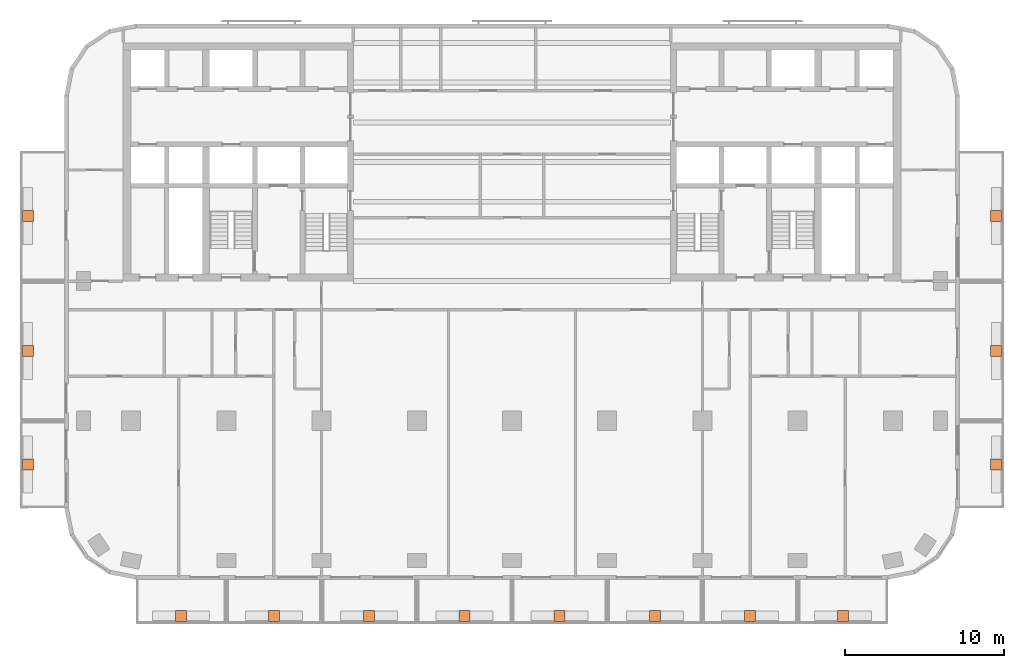
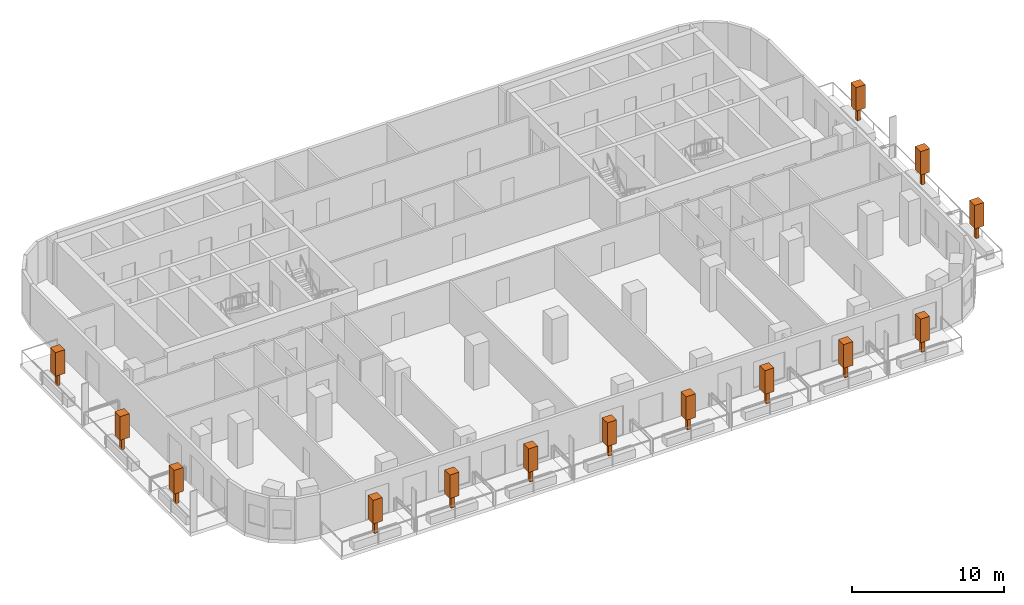
# One storey, part 11 of 11: 14 geographic elements.
"""IFC4 building model written with IfcOpenShell, lengths in metres."""

from ifc_helpers import new_model, si_unit, direction, frame, origin, origin_2d, place, context, subcontext, project, spatial, rectangle, extrude, material, element, save


model = new_model("IFC4")

# Units and contexts
model_context = context("Model", 3, precision=1e-05, world=origin(), true_north=direction((0.0, 1.0)))
body_context = subcontext(model_context, "Body", "Model", "MODEL_VIEW")
ifc_project = project(units=[si_unit("LENGTHUNIT", "METRE"), si_unit("AREAUNIT", "SQUARE_METRE"), si_unit("VOLUMEUNIT", "CUBIC_METRE"), si_unit("PLANEANGLEUNIT", "RADIAN"), si_unit("MASSUNIT", "GRAM", prefix="KILO")], contexts=[model_context])

# Site, building, storey
site_placement = place(None, origin())
site = spatial("IfcSite", under=ifc_project, at=site_placement, CompositionType="ELEMENT")
building_placement = place(site_placement, origin())
building = spatial("IfcBuilding", under=site, at=building_placement, Name="Torana Hotel and Residences", CompositionType="ELEMENT")
storey_placement = place(building_placement, frame((0.0, 0.0, 145.199951171875)))
storey = spatial("IfcBuildingStorey", under=building, at=storey_placement, Name="L37", CompositionType="ELEMENT", Elevation=145.199951171875)

# Geographic elements
ifc_material = material(Name="Foliage", Category="planting")
for number, where, z_axis, x_axis, name in (
    (1, (-20.85009765625, -36.10009765625, 0.650146484375), (0.0, 0.0, 1.0), (1.0, 0.0, 0.0), "Tree 01"),
    (2, (-15.0, -36.10009765625, 0.650146484375), (0.0, 0.0, 1.0), (1.0, 0.0, 0.0), "Tree 02"),
    (3, (-9.0, -36.10009765625, 0.650146484375), (0.0, 0.0, 1.0), (1.0, 0.0, 0.0), "Tree 03"),
    (4, (-3.0, -36.10009765625, 0.650146484375), (0.0, 0.0, 1.0), (1.0, 0.0, 0.0), "Tree 04"),
    (5, (3.0, -36.10009765625, 0.650146484375), (0.0, 0.0, 1.0), (1.0, 0.0, 0.0), "Tree 05"),
    (6, (9.0, -36.10009765625, 0.650146484375), (0.0, 0.0, 1.0), (1.0, 0.0, 0.0), "Tree 06"),
    (7, (15.0, -36.10009765625, 0.650146484375), (0.0, 0.0, 1.0), (1.0, 0.0, 0.0), "Tree 07"),
    (8, (20.85009765625, -36.10009765625, 0.650146484375), (0.0, 0.0, 1.0), (1.0, 0.0, 0.0), "Tree 08"),
    (9, (-30.5, -26.550048828125, 0.650146484375), (0.0, 0.0, 1.0), (1.0, 0.0, 0.0), "Tree 09"),
    (10, (-30.5, -19.39990234375, 0.650146484375), (0.0, 0.0, 1.0), (1.0, 0.0, 0.0), "Tree 10"),
    (11, (-30.5, -10.89990234375, 0.650146484375), (0.0, 0.0, 1.0), (1.0, 0.0, 0.0), "Tree 11"),
    (12, (30.5, -26.550048828125, 0.650146484375), (0.0, 0.0, 1.0), (1.0, 0.0, 0.0), "Tree 12"),
    (13, (30.5, -19.39990234375, 0.650146484375), (0.0, 0.0, 1.0), (1.0, 0.0, 0.0), "Tree 13"),
    (14, (30.5, -10.89990234375, 0.650146484375), (0.0, 0.0, 1.0), (1.0, 0.0, 0.0), "Tree 14"),
):
    element("IfcGeographicElement", number, at=place(storey_placement, frame(where, z_axis=z_axis, x_axis=x_axis)), inside=storey, material=ifc_material, Name=name, ObjectType="TREE", PredefinedType="USERDEFINED", context=body_context, shape_type="SweptSolid", body=[
        extrude(rectangle(XDim=0.25, YDim=0.25, at=origin_2d()), origin(), (0.0, 0.0, 1.0), 1.0),
        extrude(rectangle(XDim=0.699951171875, YDim=0.699951171875, at=origin_2d()), frame((0.0, 0.0, 1.0)), (0.0, 0.0, 1.0), 1.89990234375),
    ])

save(model, "model.ifc")
